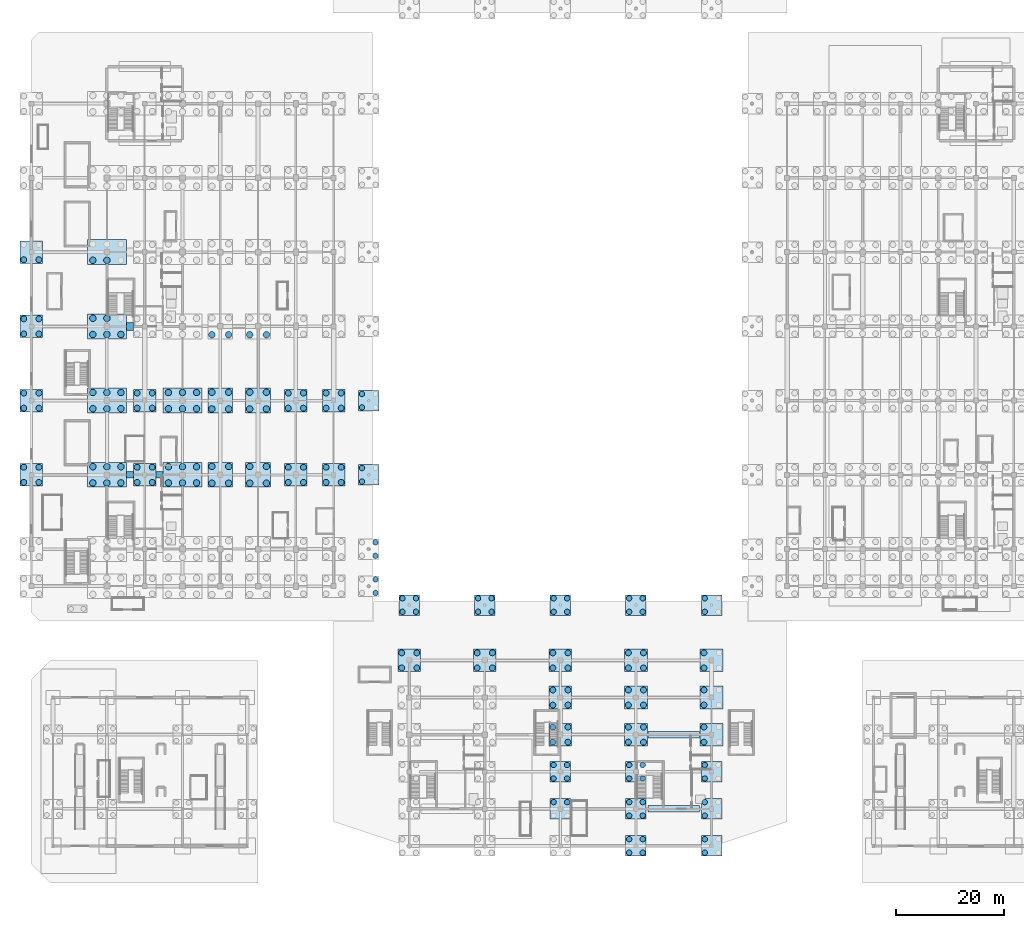
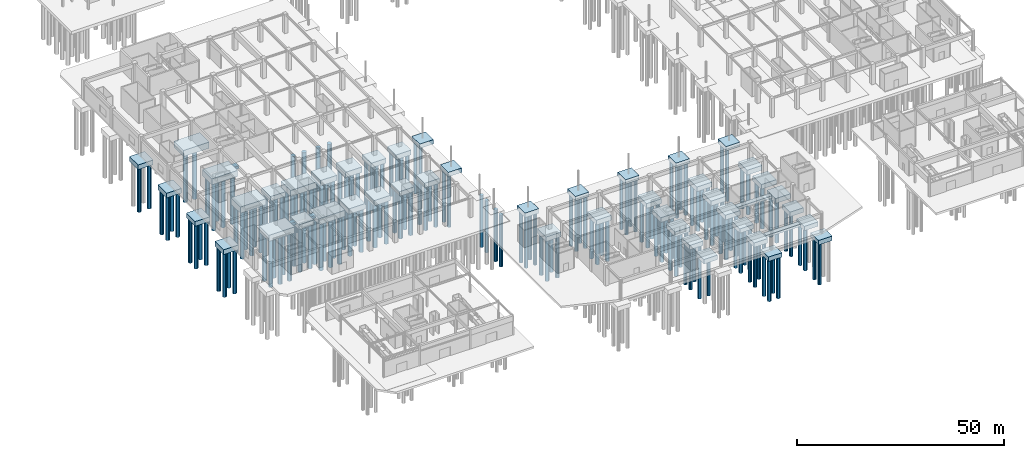
# One storey, part 2 of 62: 177 piles, 51 footings.
"""IFC4 building model written with IfcOpenShell, lengths in metres."""

from ifc_helpers import new_model, si_unit, direction, frame, origin, origin_2d, place, context, subcontext, project, spatial, rectangle, circle, extrude, material, material_profile, profile_set, type_object, element, save


model = new_model("IFC4")

# Units and contexts
model_context = context("Model", 3, precision=1e-05, world=origin(), true_north=direction((0.0, 1.0)))
body_context = subcontext(model_context, "Body", "Model", "MODEL_VIEW")
ifc_project = project(units=[si_unit("LENGTHUNIT", "METRE"), si_unit("AREAUNIT", "SQUARE_METRE"), si_unit("VOLUMEUNIT", "CUBIC_METRE"), si_unit("PLANEANGLEUNIT", "RADIAN"), si_unit("MASSUNIT", "GRAM", prefix="KILO")], contexts=[model_context])

# Site, building, storey
site_placement = place(None, origin())
site = spatial("IfcSite", under=ifc_project, at=site_placement, CompositionType="ELEMENT")
building_placement = place(site_placement, origin())
building = spatial("IfcBuilding", under=site, at=building_placement, Name="Linyun Crest Stadium", CompositionType="ELEMENT")
storey_placement = place(building_placement, frame((0.0, 0.0, -6.0)))
storey = spatial("IfcBuildingStorey", under=building, at=storey_placement, Name="B1", CompositionType="ELEMENT", Elevation=-6.0)

# Piles
ifc_material_1 = material(Name="Concrete C40", Category="concrete")
ifc_material_profile_1 = material_profile(ifc_material_1, circle(Radius=0.5, at=origin_2d()), Name="BORED PILE 1000")
ifc_profile_set_1 = profile_set([ifc_material_profile_1], Name="Concrete C40")
pile_type_1 = type_object("IfcPileType", Name="P02", PredefinedType="BORED", material=ifc_profile_set_1)
for number, where, z_axis, x_axis, name in (
    (1, (-1.25, -86.0, -1.800048828125), (0.0, 0.0, -1.0), (1.0, 0.0, 0.0), "Bored pile P02 730"),
    (2, (1.25, -86.0, -1.800048828125), (0.0, 0.0, -1.0), (1.0, 0.0, 0.0), "Bored pile P02 732"),
    (3, (-1.25, -81.625, -1.800048828125), (0.0, 0.0, -1.0), (1.0, 0.0, 0.0), "Bored pile P02 733"),
    (4, (-1.25, -79.125, -1.800048828125), (0.0, 0.0, -1.0), (1.0, 0.0, 0.0), "Bored pile P02 734"),
    (5, (1.25, -81.625, -1.800048828125), (0.0, 0.0, -1.0), (1.0, 0.0, 0.0), "Bored pile P02 735"),
    (6, (1.25, -79.125, -1.800048828125), (0.0, 0.0, -1.0), (1.0, 0.0, 0.0), "Bored pile P02 736"),
    (7, (12.75, -95.375, -1.800048828125), (0.0, 0.0, -1.0), (1.0, 0.0, 0.0), "Bored pile P02 749"),
    (8, (12.75, -92.875, -1.800048828125), (0.0, 0.0, -1.0), (1.0, 0.0, 0.0), "Bored pile P02 750"),
    (9, (15.25, -95.375, -1.800048828125), (0.0, 0.0, -1.0), (1.0, 0.0, 0.0), "Bored pile P02 751"),
    (10, (15.25, -92.875, -1.800048828125), (0.0, 0.0, -1.0), (1.0, 0.0, 0.0), "Bored pile P02 752"),
    (11, (12.75, -88.5, -1.800048828125), (0.0, 0.0, -1.0), (1.0, 0.0, 0.0), "Bored pile P02 753"),
    (12, (12.75, -86.0, -1.800048828125), (0.0, 0.0, -1.0), (1.0, 0.0, 0.0), "Bored pile P02 754"),
    (13, (15.25, -88.5, -1.800048828125), (0.0, 0.0, -1.0), (1.0, 0.0, 0.0), "Bored pile P02 755"),
    (14, (15.25, -86.0, -1.800048828125), (0.0, 0.0, -1.0), (1.0, 0.0, 0.0), "Bored pile P02 756"),
    (15, (12.75, -81.625, -1.800048828125), (0.0, 0.0, -1.0), (1.0, 0.0, 0.0), "Bored pile P02 757"),
    (16, (12.75, -79.125, -1.800048828125), (0.0, 0.0, -1.0), (1.0, 0.0, 0.0), "Bored pile P02 758"),
    (17, (15.25, -81.625, -1.800048828125), (0.0, 0.0, -1.0), (1.0, 0.0, 0.0), "Bored pile P02 759"),
    (18, (15.25, -79.125, -1.800048828125), (0.0, 0.0, -1.0), (1.0, 0.0, 0.0), "Bored pile P02 760"),
    (19, (26.75, -95.375, -1.800048828125), (0.0, 0.0, -1.0), (1.0, 0.0, 0.0), "Bored pile P02 773"),
    (20, (26.75, -92.875, -1.800048828125), (0.0, 0.0, -1.0), (1.0, 0.0, 0.0), "Bored pile P02 774"),
    (21, (26.75, -88.5, -1.800048828125), (0.0, 0.0, -1.0), (1.0, 0.0, 0.0), "Bored pile P02 777"),
    (22, (26.75, -86.0, -1.800048828125), (0.0, 0.0, -1.0), (1.0, 0.0, 0.0), "Bored pile P02 778"),
    (23, (26.75, -81.625, -1.800048828125), (0.0, 0.0, -1.0), (1.0, 0.0, 0.0), "Bored pile P02 781"),
    (24, (26.75, -79.125, -1.800048828125), (0.0, 0.0, -1.0), (1.0, 0.0, 0.0), "Bored pile P02 782"),
):
    element("IfcPile", number, at=place(storey_placement, frame(where, z_axis=z_axis, x_axis=x_axis)), inside=storey, type_object=pile_type_1, Name=name, PredefinedType="BORED", context=body_context, shape_type="SweptSolid", body=[
        extrude(circle(Radius=0.5, at=origin_2d()), origin(), (0.0, 0.0, 1.0), 12.199951171875),
    ])
for number, where, z_axis, x_axis, name in (
    (25, (-34.25, -47.25, -1.199951171875), (0.0, 0.0, -1.0), (1.0, 0.0, 0.0), "Bored pile P02 arch 2.3"),
    (26, (-34.25, -44.75, -1.199951171875), (0.0, 0.0, -1.0), (1.0, 0.0, 0.0), "Bored pile P02 arch 2.4"),
    (27, (-34.25, -40.375, -1.199951171875), (0.0, 0.0, -1.0), (1.0, 0.0, 0.0), "Bored pile P02 arch 4.3"),
    (28, (-34.25, -37.875, -1.199951171875), (0.0, 0.0, -1.0), (1.0, 0.0, 0.0), "Bored pile P02 arch 4.4"),
    (29, (-36.75, -26.625, -1.199951171875), (0.0, 0.0, -1.0), (1.0, 0.0, 0.0), "Bored pile P02 arch 6.1"),
    (30, (-36.75, -24.125, -1.199951171875), (0.0, 0.0, -1.0), (1.0, 0.0, 0.0), "Bored pile P02 arch 6.2"),
    (31, (-36.75, -12.875, -1.199951171875), (0.0, 0.0, -1.0), (1.0, 0.0, 0.0), "Bored pile P02 arch 8.1"),
    (32, (-36.75, -10.375, -1.199951171875), (0.0, 0.0, -1.0), (1.0, 0.0, 0.0), "Bored pile P02 arch 8.2"),
    (33, (-29.25, -50.75, -1.199951171875), (0.0, 0.0, -1.0), (1.0, 0.0, 0.0), "Bored pile P02 arch 44.1"),
    (34, (-29.25, -48.25, -1.199951171875), (0.0, 0.0, -1.0), (1.0, 0.0, 0.0), "Bored pile P02 arch 44.2"),
    (35, (-26.75, -50.75, -1.199951171875), (0.0, 0.0, -1.0), (1.0, 0.0, 0.0), "Bored pile P02 arch 44.3"),
    (36, (-26.75, -48.25, -1.199951171875), (0.0, 0.0, -1.0), (1.0, 0.0, 0.0), "Bored pile P02 arch 44.4"),
    (37, (-15.25, -50.75, -1.199951171875), (0.0, 0.0, -1.0), (1.0, 0.0, 0.0), "Bored pile P02 arch 46.1"),
    (38, (-15.25, -48.25, -1.199951171875), (0.0, 0.0, -1.0), (1.0, 0.0, 0.0), "Bored pile P02 arch 46.2"),
    (39, (-12.75, -50.75, -1.199951171875), (0.0, 0.0, -1.0), (1.0, 0.0, 0.0), "Bored pile P02 arch 46.3"),
    (40, (-12.75, -48.25, -1.199951171875), (0.0, 0.0, -1.0), (1.0, 0.0, 0.0), "Bored pile P02 arch 46.4"),
    (41, (-1.25, -50.75, -1.199951171875), (0.0, 0.0, -1.0), (1.0, 0.0, 0.0), "Bored pile P02 arch 48.1"),
    (42, (-1.25, -48.25, -1.199951171875), (0.0, 0.0, -1.0), (1.0, 0.0, 0.0), "Bored pile P02 arch 48.2"),
    (43, (1.25, -50.75, -1.199951171875), (0.0, 0.0, -1.0), (1.0, 0.0, 0.0), "Bored pile P02 arch 48.3"),
    (44, (1.25, -48.25, -1.199951171875), (0.0, 0.0, -1.0), (1.0, 0.0, 0.0), "Bored pile P02 arch 48.4"),
    (45, (12.75, -50.75, -1.199951171875), (0.0, 0.0, -1.0), (1.0, 0.0, 0.0), "Bored pile P02 arch 50.1"),
    (46, (12.75, -48.25, -1.199951171875), (0.0, 0.0, -1.0), (1.0, 0.0, 0.0), "Bored pile P02 arch 50.2"),
    (47, (15.25, -50.75, -1.199951171875), (0.0, 0.0, -1.0), (1.0, 0.0, 0.0), "Bored pile P02 arch 50.3"),
    (48, (15.25, -48.25, -1.199951171875), (0.0, 0.0, -1.0), (1.0, 0.0, 0.0), "Bored pile P02 arch 50.4"),
    (49, (26.75, -50.75, -1.199951171875), (0.0, 0.0, -1.0), (1.0, 0.0, 0.0), "Bored pile P02 arch 52.1"),
    (50, (26.75, -48.25, -1.199951171875), (0.0, 0.0, -1.0), (1.0, 0.0, 0.0), "Bored pile P02 arch 52.2"),
):
    element("IfcPile", number, at=place(storey_placement, frame(where, z_axis=z_axis, x_axis=x_axis)), inside=storey, type_object=pile_type_1, Name=name, PredefinedType="BORED", context=body_context, shape_type="SweptSolid", body=[
        extrude(circle(Radius=0.5, at=origin_2d()), origin(), (0.0, 0.0, 1.0), 15.300048828125),
    ])
ifc_material_2 = material(Name="Concrete C40", Category="concrete")
ifc_material_profile_2 = material_profile(ifc_material_2, circle(Radius=0.550048828125, at=origin_2d()), Name="BORED PILE 1100")
ifc_profile_set_2 = profile_set([ifc_material_profile_2], Name="Concrete C40")
pile_type_2 = type_object("IfcPileType", Name="P03", PredefinedType="BORED", material=ifc_profile_set_2)
for number, where, z_axis, x_axis, name in (
    (51, (-99.39990234375, -26.77490234375, -2.050048828125), (0.0, 0.0, -1.0), (1.0, 0.0, 0.0), "Bored pile P03 9"),
    (52, (-99.39990234375, -23.97509765625, -2.050048828125), (0.0, 0.0, -1.0), (1.0, 0.0, 0.0), "Bored pile P03 10"),
    (53, (-96.60009765625, -26.77490234375, -2.050048828125), (0.0, 0.0, -1.0), (1.0, 0.0, 0.0), "Bored pile P03 11"),
    (54, (-96.60009765625, -23.97509765625, -2.050048828125), (0.0, 0.0, -1.0), (1.0, 0.0, 0.0), "Bored pile P03 12"),
    (55, (-99.39990234375, -13.02490234375, -2.050048828125), (0.0, 0.0, -1.0), (1.0, 0.0, 0.0), "Bored pile P03 13"),
    (56, (-99.39990234375, -10.22509765625, -2.050048828125), (0.0, 0.0, -1.0), (1.0, 0.0, 0.0), "Bored pile P03 14"),
    (57, (-96.60009765625, -13.02490234375, -2.050048828125), (0.0, 0.0, -1.0), (1.0, 0.0, 0.0), "Bored pile P03 15"),
    (58, (-96.60009765625, -10.22509765625, -2.050048828125), (0.0, 0.0, -1.0), (1.0, 0.0, 0.0), "Bored pile P03 16"),
    (59, (-99.39990234375, 0.72509765625, -2.050048828125), (0.0, 0.0, -1.0), (1.0, 0.0, 0.0), "Bored pile P03 17"),
    (60, (-99.39990234375, 3.52490234375, -2.050048828125), (0.0, 0.0, -1.0), (1.0, 0.0, 0.0), "Bored pile P03 18"),
    (61, (-96.60009765625, 0.72509765625, -2.050048828125), (0.0, 0.0, -1.0), (1.0, 0.0, 0.0), "Bored pile P03 19"),
    (62, (-96.60009765625, 3.52490234375, -2.050048828125), (0.0, 0.0, -1.0), (1.0, 0.0, 0.0), "Bored pile P03 20"),
    (63, (-99.39990234375, 14.47509765625, -2.050048828125), (0.0, 0.0, -1.0), (1.0, 0.0, 0.0), "Bored pile P03 21"),
    (64, (-96.60009765625, 14.47509765625, -2.050048828125), (0.0, 0.0, -1.0), (1.0, 0.0, 0.0), "Bored pile P03 23"),
    (65, (-78.39990234375, -26.77490234375, -2.050048828125), (0.0, 0.0, -1.0), (1.0, 0.0, 0.0), "Bored pile P03 89"),
    (66, (-78.39990234375, -23.97509765625, -2.050048828125), (0.0, 0.0, -1.0), (1.0, 0.0, 0.0), "Bored pile P03 90"),
    (67, (-75.60009765625, -26.77490234375, -2.050048828125), (0.0, 0.0, -1.0), (1.0, 0.0, 0.0), "Bored pile P03 91"),
    (68, (-75.60009765625, -23.97509765625, -2.050048828125), (0.0, 0.0, -1.0), (1.0, 0.0, 0.0), "Bored pile P03 92"),
    (69, (-78.39990234375, -13.02490234375, -2.050048828125), (0.0, 0.0, -1.0), (1.0, 0.0, 0.0), "Bored pile P03 93"),
    (70, (-78.39990234375, -10.22509765625, -2.050048828125), (0.0, 0.0, -1.0), (1.0, 0.0, 0.0), "Bored pile P03 94"),
    (71, (-75.60009765625, -13.02490234375, -2.050048828125), (0.0, 0.0, -1.0), (1.0, 0.0, 0.0), "Bored pile P03 95"),
    (72, (-75.60009765625, -10.22509765625, -2.050048828125), (0.0, 0.0, -1.0), (1.0, 0.0, 0.0), "Bored pile P03 96"),
    (73, (-50.39990234375, -26.77490234375, -2.050048828125), (0.0, 0.0, -1.0), (1.0, 0.0, 0.0), "Bored pile P03 233"),
    (74, (-50.39990234375, -23.97509765625, -2.050048828125), (0.0, 0.0, -1.0), (1.0, 0.0, 0.0), "Bored pile P03 234"),
    (75, (-47.60009765625, -26.77490234375, -2.050048828125), (0.0, 0.0, -1.0), (1.0, 0.0, 0.0), "Bored pile P03 235"),
    (76, (-47.60009765625, -23.97509765625, -2.050048828125), (0.0, 0.0, -1.0), (1.0, 0.0, 0.0), "Bored pile P03 236"),
    (77, (-50.39990234375, -13.02490234375, -2.050048828125), (0.0, 0.0, -1.0), (1.0, 0.0, 0.0), "Bored pile P03 237"),
    (78, (-50.39990234375, -10.22509765625, -2.050048828125), (0.0, 0.0, -1.0), (1.0, 0.0, 0.0), "Bored pile P03 238"),
    (79, (-47.60009765625, -13.02490234375, -2.050048828125), (0.0, 0.0, -1.0), (1.0, 0.0, 0.0), "Bored pile P03 239"),
    (80, (-47.60009765625, -10.22509765625, -2.050048828125), (0.0, 0.0, -1.0), (1.0, 0.0, 0.0), "Bored pile P03 240"),
    (81, (-43.39990234375, -26.77490234375, -2.050048828125), (0.0, 0.0, -1.0), (1.0, 0.0, 0.0), "Bored pile P03 265"),
    (82, (-43.39990234375, -23.97509765625, -2.050048828125), (0.0, 0.0, -1.0), (1.0, 0.0, 0.0), "Bored pile P03 266"),
    (83, (-40.60009765625, -26.77490234375, -2.050048828125), (0.0, 0.0, -1.0), (1.0, 0.0, 0.0), "Bored pile P03 267"),
    (84, (-40.60009765625, -23.97509765625, -2.050048828125), (0.0, 0.0, -1.0), (1.0, 0.0, 0.0), "Bored pile P03 268"),
    (85, (-43.39990234375, -13.02490234375, -2.050048828125), (0.0, 0.0, -1.0), (1.0, 0.0, 0.0), "Bored pile P03 269"),
    (86, (-43.39990234375, -10.22509765625, -2.050048828125), (0.0, 0.0, -1.0), (1.0, 0.0, 0.0), "Bored pile P03 270"),
    (87, (-40.60009765625, -13.02490234375, -2.050048828125), (0.0, 0.0, -1.0), (1.0, 0.0, 0.0), "Bored pile P03 271"),
    (88, (-40.60009765625, -10.22509765625, -2.050048828125), (0.0, 0.0, -1.0), (1.0, 0.0, 0.0), "Bored pile P03 272"),
):
    element("IfcPile", number, at=place(storey_placement, frame(where, z_axis=z_axis, x_axis=x_axis)), inside=storey, type_object=pile_type_2, Name=name, PredefinedType="BORED", context=body_context, shape_type="SweptSolid", body=[
        extrude(circle(Radius=0.550048828125, at=origin_2d()), origin(), (0.0, 0.0, 1.0), 12.949951171875),
    ])
for number, where, z_axis, x_axis, name in (
    (89, (-29.39990234375, -61.14990234375, -1.89990234375), (0.0, 0.0, -1.0), (1.0, 0.0, 0.0), "Bored pile P03 697"),
    (90, (-29.39990234375, -58.35009765625, -1.89990234375), (0.0, 0.0, -1.0), (1.0, 0.0, 0.0), "Bored pile P03 698"),
    (91, (-26.60009765625, -61.14990234375, -1.89990234375), (0.0, 0.0, -1.0), (1.0, 0.0, 0.0), "Bored pile P03 699"),
    (92, (-26.60009765625, -58.35009765625, -1.89990234375), (0.0, 0.0, -1.0), (1.0, 0.0, 0.0), "Bored pile P03 700"),
    (93, (-15.39990234375, -61.14990234375, -1.89990234375), (0.0, 0.0, -1.0), (1.0, 0.0, 0.0), "Bored pile P03 721"),
    (94, (-15.39990234375, -58.35009765625, -1.89990234375), (0.0, 0.0, -1.0), (1.0, 0.0, 0.0), "Bored pile P03 722"),
    (95, (-12.60009765625, -61.14990234375, -1.89990234375), (0.0, 0.0, -1.0), (1.0, 0.0, 0.0), "Bored pile P03 723"),
    (96, (-12.60009765625, -58.35009765625, -1.89990234375), (0.0, 0.0, -1.0), (1.0, 0.0, 0.0), "Bored pile P03 724"),
    (97, (-1.39990234375, -74.89990234375, -1.89990234375), (0.0, 0.0, -1.0), (1.0, 0.0, 0.0), "Bored pile P03 737"),
    (98, (-1.39990234375, -72.10009765625, -1.89990234375), (0.0, 0.0, -1.0), (1.0, 0.0, 0.0), "Bored pile P03 738"),
    (99, (1.39990234375, -74.89990234375, -1.89990234375), (0.0, 0.0, -1.0), (1.0, 0.0, 0.0), "Bored pile P03 739"),
    (100, (1.39990234375, -72.10009765625, -1.89990234375), (0.0, 0.0, -1.0), (1.0, 0.0, 0.0), "Bored pile P03 740"),
    (101, (-1.39990234375, -68.02490234375, -1.89990234375), (0.0, 0.0, -1.0), (1.0, 0.0, 0.0), "Bored pile P03 741"),
    (102, (-1.39990234375, -65.22509765625, -1.89990234375), (0.0, 0.0, -1.0), (1.0, 0.0, 0.0), "Bored pile P03 742"),
    (103, (1.39990234375, -68.02490234375, -1.89990234375), (0.0, 0.0, -1.0), (1.0, 0.0, 0.0), "Bored pile P03 743"),
    (104, (1.39990234375, -65.22509765625, -1.89990234375), (0.0, 0.0, -1.0), (1.0, 0.0, 0.0), "Bored pile P03 744"),
    (105, (-1.39990234375, -61.14990234375, -1.89990234375), (0.0, 0.0, -1.0), (1.0, 0.0, 0.0), "Bored pile P03 745"),
    (106, (-1.39990234375, -58.35009765625, -1.89990234375), (0.0, 0.0, -1.0), (1.0, 0.0, 0.0), "Bored pile P03 746"),
    (107, (1.39990234375, -61.14990234375, -1.89990234375), (0.0, 0.0, -1.0), (1.0, 0.0, 0.0), "Bored pile P03 747"),
    (108, (1.39990234375, -58.35009765625, -1.89990234375), (0.0, 0.0, -1.0), (1.0, 0.0, 0.0), "Bored pile P03 748"),
    (109, (12.60009765625, -74.89990234375, -1.89990234375), (0.0, 0.0, -1.0), (1.0, 0.0, 0.0), "Bored pile P03 761"),
    (110, (12.60009765625, -72.10009765625, -1.89990234375), (0.0, 0.0, -1.0), (1.0, 0.0, 0.0), "Bored pile P03 762"),
    (111, (15.39990234375, -74.89990234375, -1.89990234375), (0.0, 0.0, -1.0), (1.0, 0.0, 0.0), "Bored pile P03 763"),
    (112, (15.39990234375, -72.10009765625, -1.89990234375), (0.0, 0.0, -1.0), (1.0, 0.0, 0.0), "Bored pile P03 764"),
    (113, (12.60009765625, -68.02490234375, -1.89990234375), (0.0, 0.0, -1.0), (1.0, 0.0, 0.0), "Bored pile P03 765"),
    (114, (12.60009765625, -65.22509765625, -1.89990234375), (0.0, 0.0, -1.0), (1.0, 0.0, 0.0), "Bored pile P03 766"),
    (115, (15.39990234375, -68.02490234375, -1.89990234375), (0.0, 0.0, -1.0), (1.0, 0.0, 0.0), "Bored pile P03 767"),
    (116, (15.39990234375, -65.22509765625, -1.89990234375), (0.0, 0.0, -1.0), (1.0, 0.0, 0.0), "Bored pile P03 768"),
    (117, (12.60009765625, -61.14990234375, -1.89990234375), (0.0, 0.0, -1.0), (1.0, 0.0, 0.0), "Bored pile P03 769"),
    (118, (12.60009765625, -58.35009765625, -1.89990234375), (0.0, 0.0, -1.0), (1.0, 0.0, 0.0), "Bored pile P03 770"),
    (119, (15.39990234375, -61.14990234375, -1.89990234375), (0.0, 0.0, -1.0), (1.0, 0.0, 0.0), "Bored pile P03 771"),
    (120, (15.39990234375, -58.35009765625, -1.89990234375), (0.0, 0.0, -1.0), (1.0, 0.0, 0.0), "Bored pile P03 772"),
    (121, (26.60009765625, -74.89990234375, -1.89990234375), (0.0, 0.0, -1.0), (1.0, 0.0, 0.0), "Bored pile P03 785"),
    (122, (26.60009765625, -72.10009765625, -1.89990234375), (0.0, 0.0, -1.0), (1.0, 0.0, 0.0), "Bored pile P03 786"),
    (123, (26.60009765625, -68.02490234375, -1.89990234375), (0.0, 0.0, -1.0), (1.0, 0.0, 0.0), "Bored pile P03 789"),
    (124, (26.60009765625, -65.22509765625, -1.89990234375), (0.0, 0.0, -1.0), (1.0, 0.0, 0.0), "Bored pile P03 790"),
    (125, (26.60009765625, -61.14990234375, -1.89990234375), (0.0, 0.0, -1.0), (1.0, 0.0, 0.0), "Bored pile P03 793"),
    (126, (26.60009765625, -58.35009765625, -1.89990234375), (0.0, 0.0, -1.0), (1.0, 0.0, 0.0), "Bored pile P03 794"),
):
    element("IfcPile", number, at=place(storey_placement, frame(where, z_axis=z_axis, x_axis=x_axis)), inside=storey, type_object=pile_type_2, Name=name, PredefinedType="BORED", context=body_context, shape_type="SweptSolid", body=[
        extrude(circle(Radius=0.550048828125, at=origin_2d()), origin(), (0.0, 0.0, 1.0), 12.10009765625),
    ])
ifc_material_3 = material(Name="Concrete C40", Category="concrete")
ifc_material_profile_3 = material_profile(ifc_material_3, circle(Radius=0.60009765625, at=origin_2d()), Name="BORED PILE 1200")
ifc_profile_set_3 = profile_set([ifc_material_profile_3], Name="Concrete C40")
pile_type_3 = type_object("IfcPileType", Name="P04", PredefinedType="BORED", material=ifc_profile_set_3)
for number, where, z_axis, x_axis, name in (
    (127, (-86.60009765625, -26.875, -2.449951171875), (0.0, 0.0, -1.0), (1.0, 0.0, 0.0), "Bored pile P04 45"),
    (128, (-86.60009765625, -23.875, -2.449951171875), (0.0, 0.0, -1.0), (1.0, 0.0, 0.0), "Bored pile P04 46"),
    (129, (-84.0, -26.875, -2.449951171875), (0.0, 0.0, -1.0), (1.0, 0.0, 0.0), "Bored pile P04 47"),
    (130, (-84.0, -23.875, -2.449951171875), (0.0, 0.0, -1.0), (1.0, 0.0, 0.0), "Bored pile P04 48"),
    (131, (-81.39990234375, -26.875, -2.449951171875), (0.0, 0.0, -1.0), (1.0, 0.0, 0.0), "Bored pile P04 49"),
    (132, (-81.39990234375, -23.875, -2.449951171875), (0.0, 0.0, -1.0), (1.0, 0.0, 0.0), "Bored pile P04 50"),
    (133, (-86.60009765625, -13.125, -2.449951171875), (0.0, 0.0, -1.0), (1.0, 0.0, 0.0), "Bored pile P04 51"),
    (134, (-86.60009765625, -10.125, -2.449951171875), (0.0, 0.0, -1.0), (1.0, 0.0, 0.0), "Bored pile P04 52"),
    (135, (-84.0, -13.125, -2.449951171875), (0.0, 0.0, -1.0), (1.0, 0.0, 0.0), "Bored pile P04 53"),
    (136, (-84.0, -10.125, -2.449951171875), (0.0, 0.0, -1.0), (1.0, 0.0, 0.0), "Bored pile P04 54"),
    (137, (-81.39990234375, -13.125, -2.449951171875), (0.0, 0.0, -1.0), (1.0, 0.0, 0.0), "Bored pile P04 55"),
    (138, (-81.39990234375, -10.125, -2.449951171875), (0.0, 0.0, -1.0), (1.0, 0.0, 0.0), "Bored pile P04 56"),
    (139, (-86.60009765625, 0.625, -2.449951171875), (0.0, 0.0, -1.0), (1.0, 0.0, 0.0), "Bored pile P04 57"),
    (140, (-86.60009765625, 3.625, -2.449951171875), (0.0, 0.0, -1.0), (1.0, 0.0, 0.0), "Bored pile P04 58"),
    (141, (-84.0, 0.625, -2.449951171875), (0.0, 0.0, -1.0), (1.0, 0.0, 0.0), "Bored pile P04 59"),
    (142, (-84.0, 3.625, -2.449951171875), (0.0, 0.0, -1.0), (1.0, 0.0, 0.0), "Bored pile P04 60"),
    (143, (-81.39990234375, 0.625, -2.449951171875), (0.0, 0.0, -1.0), (1.0, 0.0, 0.0), "Bored pile P04 61"),
    (144, (-86.60009765625, 14.375, -2.449951171875), (0.0, 0.0, -1.0), (1.0, 0.0, 0.0), "Bored pile P04 63"),
    (145, (-84.0, 14.375, -2.449951171875), (0.0, 0.0, -1.0), (1.0, 0.0, 0.0), "Bored pile P04 65"),
    (146, (-72.60009765625, -26.875, -2.449951171875), (0.0, 0.0, -1.0), (1.0, 0.0, 0.0), "Bored pile P04 125"),
    (147, (-72.60009765625, -23.875, -2.449951171875), (0.0, 0.0, -1.0), (1.0, 0.0, 0.0), "Bored pile P04 126"),
    (148, (-70.0, -26.875, -2.449951171875), (0.0, 0.0, -1.0), (1.0, 0.0, 0.0), "Bored pile P04 127"),
    (149, (-70.0, -23.875, -2.449951171875), (0.0, 0.0, -1.0), (1.0, 0.0, 0.0), "Bored pile P04 128"),
    (150, (-67.39990234375, -26.875, -2.449951171875), (0.0, 0.0, -1.0), (1.0, 0.0, 0.0), "Bored pile P04 129"),
    (151, (-67.39990234375, -23.875, -2.449951171875), (0.0, 0.0, -1.0), (1.0, 0.0, 0.0), "Bored pile P04 130"),
    (152, (-72.60009765625, -13.125, -2.449951171875), (0.0, 0.0, -1.0), (1.0, 0.0, 0.0), "Bored pile P04 131"),
    (153, (-72.60009765625, -10.125, -2.449951171875), (0.0, 0.0, -1.0), (1.0, 0.0, 0.0), "Bored pile P04 132"),
    (154, (-70.0, -13.125, -2.449951171875), (0.0, 0.0, -1.0), (1.0, 0.0, 0.0), "Bored pile P04 133"),
    (155, (-70.0, -10.125, -2.449951171875), (0.0, 0.0, -1.0), (1.0, 0.0, 0.0), "Bored pile P04 134"),
    (156, (-67.39990234375, -13.125, -2.449951171875), (0.0, 0.0, -1.0), (1.0, 0.0, 0.0), "Bored pile P04 135"),
    (157, (-67.39990234375, -10.125, -2.449951171875), (0.0, 0.0, -1.0), (1.0, 0.0, 0.0), "Bored pile P04 136"),
):
    element("IfcPile", number, at=place(storey_placement, frame(where, z_axis=z_axis, x_axis=x_axis)), inside=storey, type_object=pile_type_3, Name=name, PredefinedType="BORED", context=body_context, shape_type="SweptSolid", body=[
        extrude(circle(Radius=0.60009765625, at=origin_2d()), origin(), (0.0, 0.0, 1.0), 14.050048828125),
    ])
for number, where, z_axis, x_axis, name in (
    (158, (-64.550048828125, -26.925048828125, -2.25), (0.0, 0.0, -1.0), (1.0, 0.0, 0.0), "Bored pile P04 169"),
    (159, (-64.550048828125, -23.824951171875, -2.25), (0.0, 0.0, -1.0), (1.0, 0.0, 0.0), "Bored pile P04 170"),
    (160, (-61.449951171875, -26.925048828125, -2.25), (0.0, 0.0, -1.0), (1.0, 0.0, 0.0), "Bored pile P04 171"),
    (161, (-61.449951171875, -23.824951171875, -2.25), (0.0, 0.0, -1.0), (1.0, 0.0, 0.0), "Bored pile P04 172"),
    (162, (-64.550048828125, -13.175048828125, -2.25), (0.0, 0.0, -1.0), (1.0, 0.0, 0.0), "Bored pile P04 173"),
    (163, (-64.550048828125, -10.074951171875, -2.25), (0.0, 0.0, -1.0), (1.0, 0.0, 0.0), "Bored pile P04 174"),
    (164, (-61.449951171875, -13.175048828125, -2.25), (0.0, 0.0, -1.0), (1.0, 0.0, 0.0), "Bored pile P04 175"),
    (165, (-61.449951171875, -10.074951171875, -2.25), (0.0, 0.0, -1.0), (1.0, 0.0, 0.0), "Bored pile P04 176"),
    (166, (-64.550048828125, 0.574951171875, -2.25), (0.0, 0.0, -1.0), (1.0, 0.0, 0.0), "Bored pile P04 177"),
    (167, (-61.449951171875, 0.574951171875, -2.25), (0.0, 0.0, -1.0), (1.0, 0.0, 0.0), "Bored pile P04 179"),
    (168, (-57.550048828125, -26.925048828125, -2.25), (0.0, 0.0, -1.0), (1.0, 0.0, 0.0), "Bored pile P04 201"),
    (169, (-57.550048828125, -23.824951171875, -2.25), (0.0, 0.0, -1.0), (1.0, 0.0, 0.0), "Bored pile P04 202"),
    (170, (-54.449951171875, -26.925048828125, -2.25), (0.0, 0.0, -1.0), (1.0, 0.0, 0.0), "Bored pile P04 203"),
    (171, (-54.449951171875, -23.824951171875, -2.25), (0.0, 0.0, -1.0), (1.0, 0.0, 0.0), "Bored pile P04 204"),
    (172, (-57.550048828125, -13.175048828125, -2.25), (0.0, 0.0, -1.0), (1.0, 0.0, 0.0), "Bored pile P04 205"),
    (173, (-57.550048828125, -10.074951171875, -2.25), (0.0, 0.0, -1.0), (1.0, 0.0, 0.0), "Bored pile P04 206"),
    (174, (-54.449951171875, -13.175048828125, -2.25), (0.0, 0.0, -1.0), (1.0, 0.0, 0.0), "Bored pile P04 207"),
    (175, (-54.449951171875, -10.074951171875, -2.25), (0.0, 0.0, -1.0), (1.0, 0.0, 0.0), "Bored pile P04 208"),
    (176, (-57.550048828125, 0.574951171875, -2.25), (0.0, 0.0, -1.0), (1.0, 0.0, 0.0), "Bored pile P04 209"),
    (177, (-54.449951171875, 0.574951171875, -2.25), (0.0, 0.0, -1.0), (1.0, 0.0, 0.0), "Bored pile P04 211"),
):
    element("IfcPile", number, at=place(storey_placement, frame(where, z_axis=z_axis, x_axis=x_axis)), inside=storey, type_object=pile_type_3, Name=name, PredefinedType="BORED", context=body_context, shape_type="SweptSolid", body=[
        extrude(circle(Radius=0.60009765625, at=origin_2d()), origin(), (0.0, 0.0, 1.0), 12.75),
    ])

# Footings
ifc_material_4 = material(Name="Concrete C40", Category="concrete")
footing_type_1 = type_object("IfcFootingType", Name="PC02", PredefinedType="PILE_CAP", material=ifc_material_4)
for number, where, z_axis, x_axis, name in (
    (178, (0.0, -87.25, -1.89990234375), (0.0, 0.0, 1.0), (1.0, 0.0, 0.0), "Foundation PC02 167"),
    (179, (0.0, -80.375, -1.89990234375), (0.0, 0.0, 1.0), (1.0, 0.0, 0.0), "Foundation PC02 168"),
    (180, (14.0, -94.125, -1.89990234375), (0.0, 0.0, 1.0), (1.0, 0.0, 0.0), "Foundation PC02 172"),
    (181, (14.0, -87.25, -1.89990234375), (0.0, 0.0, 1.0), (1.0, 0.0, 0.0), "Foundation PC02 173"),
    (182, (14.0, -80.375, -1.89990234375), (0.0, 0.0, 1.0), (1.0, 0.0, 0.0), "Foundation PC02 174"),
    (183, (28.0, -94.125, -1.89990234375), (0.0, 0.0, 1.0), (1.0, 0.0, 0.0), "Foundation PC02 178"),
    (184, (28.0, -87.25, -1.89990234375), (0.0, 0.0, 1.0), (1.0, 0.0, 0.0), "Foundation PC02 179"),
    (185, (28.0, -80.375, -1.89990234375), (0.0, 0.0, 1.0), (1.0, 0.0, 0.0), "Foundation PC02 180"),
    (186, (-35.5, -25.375, -1.2998046875), (0.0, 0.0, 1.0), (1.0, 0.0, 0.0), "Foundation PC02 arch 6"),
    (187, (-35.5, -11.625, -1.2998046875), (0.0, 0.0, 1.0), (1.0, 0.0, 0.0), "Foundation PC02 arch 8"),
    (188, (-28.0, -49.5, -1.2998046875), (0.0, 0.0, 1.0), (1.0, 0.0, 0.0), "Foundation PC02 arch 44"),
    (189, (-14.0, -49.5, -1.2998046875), (0.0, 0.0, 1.0), (1.0, 0.0, 0.0), "Foundation PC02 arch 46"),
    (190, (0.0, -49.5, -1.2998046875), (0.0, 0.0, 1.0), (1.0, 0.0, 0.0), "Foundation PC02 arch 48"),
    (191, (14.0, -49.5, -1.2998046875), (0.0, 0.0, 1.0), (1.0, 0.0, 0.0), "Foundation PC02 arch 50"),
    (192, (28.0, -49.5, -1.2998046875), (0.0, 0.0, 1.0), (1.0, 0.0, 0.0), "Foundation PC02 arch 52"),
):
    element("IfcFooting", number, at=place(storey_placement, frame(where, z_axis=z_axis, x_axis=x_axis)), inside=storey, type_object=footing_type_1, Name=name, PredefinedType="PILE_CAP", context=body_context, shape_type="SweptSolid", body=[
        extrude(rectangle(XDim=3.800048828125, YDim=3.800048828125, at=origin_2d()), origin(), (0.0, 0.0, 1.0), 1.300048828125),
    ])
ifc_material_5 = material(Name="Concrete C40", Category="concrete")
footing_type_2 = type_object("IfcFootingType", Name="PC03", PredefinedType="PILE_CAP", material=ifc_material_5)
for number, where, z_axis, x_axis, name in (
    (193, (-98.0, -25.375, -2.14990234375), (0.0, 0.0, 1.0), (1.0, 0.0, 0.0), "Foundation PC03 3"),
    (194, (-98.0, -11.625, -2.14990234375), (0.0, 0.0, 1.0), (1.0, 0.0, 0.0), "Foundation PC03 4"),
    (195, (-98.0, 2.125, -2.14990234375), (0.0, 0.0, 1.0), (1.0, 0.0, 0.0), "Foundation PC03 5"),
    (196, (-98.0, 15.875, -2.14990234375), (0.0, 0.0, 1.0), (1.0, 0.0, 0.0), "Foundation PC03 6"),
    (197, (-77.0, -25.375, -2.14990234375), (0.0, 0.0, 1.0), (1.0, 0.0, 0.0), "Foundation PC03 19"),
    (198, (-77.0, -11.625, -2.14990234375), (0.0, 0.0, 1.0), (1.0, 0.0, 0.0), "Foundation PC03 20"),
    (199, (-49.0, -25.375, -2.14990234375), (0.0, 0.0, 1.0), (1.0, 0.0, 0.0), "Foundation PC03 51"),
    (200, (-49.0, -11.625, -2.14990234375), (0.0, 0.0, 1.0), (1.0, 0.0, 0.0), "Foundation PC03 52"),
    (201, (-42.0, -25.375, -2.14990234375), (0.0, 0.0, 1.0), (1.0, 0.0, 0.0), "Foundation PC03 59"),
    (202, (-42.0, -11.625, -2.14990234375), (0.0, 0.0, 1.0), (1.0, 0.0, 0.0), "Foundation PC03 60"),
    (203, (-28.0, -59.75, -2.0), (0.0, 0.0, 1.0), (1.0, 0.0, 0.0), "Foundation PC03 159"),
    (204, (-14.0, -59.75, -2.0), (0.0, 0.0, 1.0), (1.0, 0.0, 0.0), "Foundation PC03 165"),
    (205, (0.0, -73.5, -2.0), (0.0, 0.0, 1.0), (1.0, 0.0, 0.0), "Foundation PC03 169"),
    (206, (0.0, -66.625, -2.0), (0.0, 0.0, 1.0), (1.0, 0.0, 0.0), "Foundation PC03 170"),
    (207, (0.0, -59.75, -2.0), (0.0, 0.0, 1.0), (1.0, 0.0, 0.0), "Foundation PC03 171"),
    (208, (14.0, -73.5, -2.0), (0.0, 0.0, 1.0), (1.0, 0.0, 0.0), "Foundation PC03 175"),
    (209, (14.0, -66.625, -2.0), (0.0, 0.0, 1.0), (1.0, 0.0, 0.0), "Foundation PC03 176"),
    (210, (14.0, -59.75, -2.0), (0.0, 0.0, 1.0), (1.0, 0.0, 0.0), "Foundation PC03 177"),
    (211, (28.0, -73.5, -2.0), (0.0, 0.0, 1.0), (1.0, 0.0, 0.0), "Foundation PC03 181"),
    (212, (28.0, -66.625, -2.0), (0.0, 0.0, 1.0), (1.0, 0.0, 0.0), "Foundation PC03 182"),
    (213, (28.0, -59.75, -2.0), (0.0, 0.0, 1.0), (1.0, 0.0, 0.0), "Foundation PC03 183"),
):
    element("IfcFooting", number, at=place(storey_placement, frame(where, z_axis=z_axis, x_axis=x_axis)), inside=storey, type_object=footing_type_2, Name=name, PredefinedType="PILE_CAP", context=body_context, shape_type="SweptSolid", body=[
        extrude(rectangle(XDim=4.199951171875, YDim=4.199951171875, at=origin_2d()), origin(), (0.0, 0.0, 1.0), 1.39990234375),
    ])
ifc_material_6 = material(Name="Concrete C40", Category="concrete")
footing_type_3 = type_object("IfcFootingType", Name="PC04", PredefinedType="PILE_CAP", material=ifc_material_6)
for number, where, z_axis, x_axis, name in (
    (214, (-63.0, -25.375, -2.35009765625), (0.0, 0.0, 1.0), (1.0, 0.0, 0.0), "Foundation PC04 35"),
    (215, (-63.0, -11.625, -2.35009765625), (0.0, 0.0, 1.0), (1.0, 0.0, 0.0), "Foundation PC04 36"),
    (216, (-56.0, -25.375, -2.35009765625), (0.0, 0.0, 1.0), (1.0, 0.0, 0.0), "Foundation PC04 43"),
    (217, (-56.0, -11.625, -2.35009765625), (0.0, 0.0, 1.0), (1.0, 0.0, 0.0), "Foundation PC04 44"),
):
    element("IfcFooting", number, at=place(storey_placement, frame(where, z_axis=z_axis, x_axis=x_axis)), inside=storey, type_object=footing_type_3, Name=name, PredefinedType="PILE_CAP", context=body_context, shape_type="SweptSolid", body=[
        extrude(rectangle(XDim=4.60009765625, YDim=4.60009765625, at=origin_2d()), origin(), (0.0, 0.0, 1.0), 1.60009765625),
    ])
ifc_material_7 = material(Name="Concrete C40", Category="concrete")
footing_type_4 = type_object("IfcFootingType", Name="PC06", PredefinedType="PILE_CAP", material=ifc_material_7)
for number, where, z_axis, x_axis, name in (
    (218, (-84.0, -25.375, -2.5498046875), (0.0, 0.0, 1.0), (1.0, 0.0, 0.0), "Foundation PC06 11"),
    (219, (-84.0, -11.625, -2.5498046875), (0.0, 0.0, 1.0), (1.0, 0.0, 0.0), "Foundation PC06 12"),
    (220, (-84.0, 2.125, -2.5498046875), (0.0, 0.0, 1.0), (1.0, 0.0, 0.0), "Foundation PC06 13"),
    (221, (-84.0, 15.875, -2.5498046875), (0.0, 0.0, 1.0), (1.0, 0.0, 0.0), "Foundation PC06 14"),
    (222, (-70.0, -25.375, -2.5498046875), (0.0, 0.0, 1.0), (1.0, 0.0, 0.0), "Foundation PC06 27"),
    (223, (-70.0, -11.625, -2.5498046875), (0.0, 0.0, 1.0), (1.0, 0.0, 0.0), "Foundation PC06 28"),
):
    element("IfcFooting", number, at=place(storey_placement, frame(where, z_axis=z_axis, x_axis=x_axis)), inside=storey, type_object=footing_type_4, Name=name, PredefinedType="PILE_CAP", context=body_context, shape_type="SweptSolid", body=[
        extrude(rectangle(XDim=7.199951171875, YDim=4.60009765625, at=origin_2d()), origin(), (0.0, 0.0, 1.0), 1.800048828125),
    ])
ifc_material_8 = material(Name="Concrete C40", Category="concrete")
footing_type_5 = type_object("IfcFootingType", Name="SF01", PredefinedType="STRIP_FOOTING", material=ifc_material_8)
for number, where, z_axis, x_axis, name in (
    (224, (21.0, -87.25, -1.2998046875), (0.0, 0.0, 1.0), (1.0, 0.0, 0.0), "Strip footing SF01 27"),
    (225, (21.0, -73.5, -1.2998046875), (0.0, 0.0, 1.0), (1.0, 0.0, 0.0), "Strip footing SF01 28"),
):
    element("IfcFooting", number, at=place(storey_placement, frame(where, z_axis=z_axis, x_axis=x_axis)), inside=storey, type_object=footing_type_5, Name=name, PredefinedType="STRIP_FOOTING", context=body_context, shape_type="SweptSolid", body=[
        extrude(rectangle(XDim=9.60009765625, YDim=1.199951171875, at=origin_2d()), origin(), (0.0, 0.0, 1.0), 0.699951171875),
    ])
ifc_material_9 = material(Name="Concrete C40", Category="concrete")
footing_type_6 = type_object("IfcFootingType", Name="SF04", PredefinedType="STRIP_FOOTING", material=ifc_material_9)
for number, where, z_axis, x_axis, name in (
    (226, (-79.75, -25.375, -1.4501953125), (0.0, 0.0, 1.0), (1.0, 0.0, 0.0), "Strip footing SF04 3"),
    (227, (-74.25, -25.375, -1.4501953125), (0.0, 0.0, 1.0), (1.0, 0.0, 0.0), "Strip footing SF04 4"),
):
    element("IfcFooting", number, at=place(storey_placement, frame(where, z_axis=z_axis, x_axis=x_axis)), inside=storey, type_object=footing_type_6, Name=name, PredefinedType="STRIP_FOOTING", context=body_context, shape_type="SweptSolid", body=[
        extrude(rectangle(XDim=1.280029296875, YDim=1.199951171875, at=origin_2d()), origin(), (0.0, 0.0, 1.0), 0.699951171875),
    ])
ifc_material_10 = material(Name="Concrete C40", Category="concrete")
footing_type_7 = type_object("IfcFootingType", Name="SF05", PredefinedType="STRIP_FOOTING", material=ifc_material_10)
footing_placement = place(storey_placement, frame((-79.75, 2.125, -1.60009765625), z_axis=(0.0, 0.0, 1.0), x_axis=(1.0, 0.0, 0.0)))
element("IfcFooting", 228, at=footing_placement, inside=storey, type_object=footing_type_7, Name="Strip footing SF05 5", PredefinedType="STRIP_FOOTING", context=body_context, shape_type="SweptSolid", body=[
    extrude(rectangle(XDim=1.280029296875, YDim=1.5, at=origin_2d()), origin(), (0.0, 0.0, 1.0), 0.85009765625),
])

save(model, "model.ifc")
